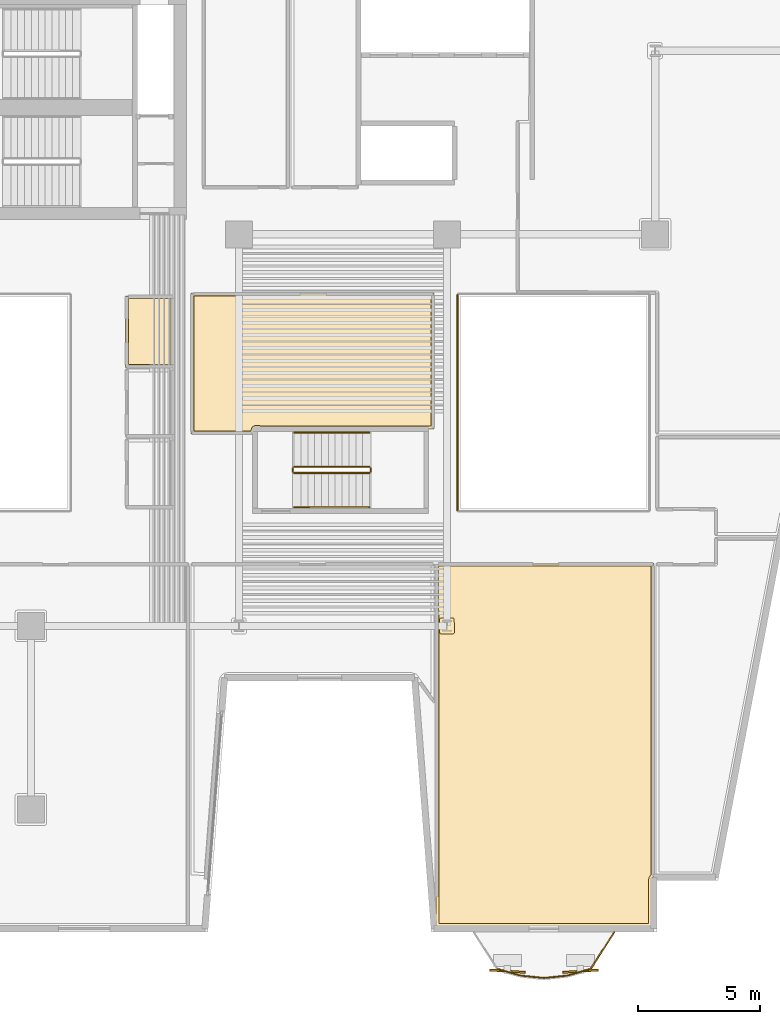
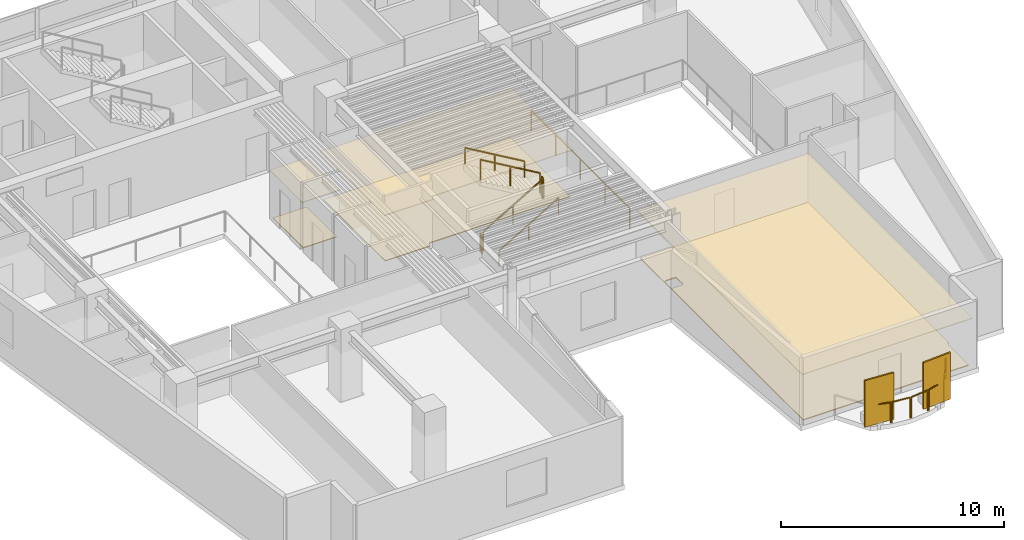
# One storey, part 10 of 13: 12 railings, 6 coverings, 2 shading devices.
"""IFC4 building model written with IfcOpenShell, lengths in metres."""

from ifc_helpers import new_model, si_unit, direction, frame, origin, origin_2d, place, context, subcontext, project, spatial, polyline, rectangle, outline, extrude, material, layer, layer_set, type_object, element, save


model = new_model("IFC4")

# Units and contexts
model_context = context("Model", 3, precision=1e-05, world=origin(), true_north=direction((0.0, 1.0)))
body_context = subcontext(model_context, "Body", "Model", "MODEL_VIEW")
ifc_project = project(units=[si_unit("LENGTHUNIT", "METRE"), si_unit("AREAUNIT", "SQUARE_METRE"), si_unit("VOLUMEUNIT", "CUBIC_METRE"), si_unit("PLANEANGLEUNIT", "RADIAN"), si_unit("MASSUNIT", "GRAM", prefix="KILO")], contexts=[model_context])

# Site, building, storey
site_placement = place(None, origin())
site = spatial("IfcSite", under=ifc_project, at=site_placement, CompositionType="ELEMENT")
building_placement = place(site_placement, origin())
building = spatial("IfcBuilding", under=site, at=building_placement, Name="Caeloran Harvest Quay", CompositionType="ELEMENT")
storey_placement = place(building_placement, frame((0.0, 0.0, 127.199951171875)))
storey = spatial("IfcBuildingStorey", under=building, at=storey_placement, Name="L29", CompositionType="ELEMENT", Elevation=127.199951171875)

# Coverings
ifc_material_1 = material(Name="Perforated Mineral-Fibre Acoustic Ceiling Tile", Category="ceiling")
ifc_layer_1 = layer(ifc_material_1, 0.0400390625, Name="Perforated Mineral-Fibre Acoustic Ceiling Tile")
ifc_layer_set_1 = layer_set([ifc_layer_1], Name="Perforated Mineral-Fibre Acoustic Ceiling Tile")
covering_type_1 = type_object("IfcCoveringType", Name="COV-CEILING-ACOUSTIC", PredefinedType="CEILING", material=ifc_layer_set_1)
covering_1_placement = place(storey_placement, frame((0.0, 0.0, 2.60009765625)))
element("IfcCovering", 1, at=covering_1_placement, inside=storey, type_object=covering_type_1, Name="L29 Male Washroom WC Acoustic Ceiling", PredefinedType="CEILING", context=body_context, shape_type="SweptSolid", body=[
    extrude(outline(polyline([(22.840087890625, 25.56005859375), (20.8701171875, 25.56005859375), (20.8701171875, 28.489990234375), (22.840087890625, 28.489990234375), (22.840087890625, 25.56005859375)])), origin(), (0.0, 0.0, 1.0), 0.0400390625),
])
covering_2_placement = place(storey_placement, frame((0.0, 0.0, 2.60009765625)))
element("IfcCovering", 2, at=covering_2_placement, inside=storey, type_object=covering_type_1, Name="Controlled-Climate Simulation Lab Acoustic Ceiling", PredefinedType="CEILING", context=body_context, shape_type="SweptSolid", body=[
    extrude(outline(polyline([(42.39990234375, 4.739501953125), (42.359619140625, 4.663818359375), (42.35009765625, 4.59912109375), (42.35009765625, 2.719970703125), (33.55859375, 2.719970703125), (33.5400390625, 2.95703125), (33.5400390625, 17.56005859375), (42.4599609375, 17.56005859375), (42.4599609375, 4.7919921875), (42.39990234375, 4.739501953125)])), origin(), (0.0, 0.0, 1.0), 0.0400390625),
])
covering_3_placement = place(storey_placement, frame((0.0, 0.0, 2.60009765625)))
element("IfcCovering", 3, at=covering_3_placement, inside=storey, type_object=covering_type_1, Name="Server Rack Laboratory Acoustic Ceiling", PredefinedType="CEILING", context=body_context, shape_type="SweptSolid", body=[
    extrude(outline(polyline([(26.139892578125, 23.06005859375), (26.139892578125, 23.02099609375), (26.054443359375, 22.840087890625), (23.5400390625, 22.840087890625), (23.5400390625, 28.610107421875), (33.4599609375, 28.610107421875), (33.4599609375, 23.0400390625), (33.170166015625, 23.0400390625), (33.162841796875, 23.06005859375), (26.139892578125, 23.06005859375)])), origin(), (0.0, 0.0, 1.0), 0.0400390625),
])
ifc_material_2 = material(Name="Calcium-Sulphate Raised Access Floor and Terrazzo Finish", Category="flooring")
ifc_layer_2 = layer(ifc_material_2, 0.050048828125, Name="Calcium-Sulphate Raised Access Floor and Terrazzo Finish")
ifc_layer_set_2 = layer_set([ifc_layer_2], Name="Calcium-Sulphate Raised Access Floor and Terrazzo Finish")
covering_type_2 = type_object("IfcCoveringType", Name="COV-FLOOR-RAISED", PredefinedType="FLOORING", material=ifc_layer_set_2)
covering_4_placement = place(storey_placement, origin())
element("IfcCovering", 4, at=covering_4_placement, inside=storey, type_object=covering_type_2, Name="L29 Male Washroom WC Raised Finish Flooring", PredefinedType="FLOORING", context=body_context, shape_type="SweptSolid", body=[
    extrude(outline(polyline([(22.719970703125, 25.679931640625), (20.989990234375, 25.679931640625), (20.989990234375, 28.3701171875), (22.719970703125, 28.3701171875), (22.719970703125, 25.679931640625)])), origin(), (0.0, 0.0, 1.0), 0.050048828125),
])
covering_5_placement = place(storey_placement, origin())
element("IfcCovering", 5, at=covering_5_placement, inside=storey, type_object=covering_type_2, Name="Controlled-Climate Simulation Lab Raised Finish Flooring", PredefinedType="FLOORING", context=body_context, shape_type="SweptSolid", body=[
    extrude(outline(polyline([(42.33251953125, 4.843017578125), (42.257568359375, 4.733642578125), (42.231201171875, 4.62939453125), (42.22998046875, 2.840087890625), (33.66943359375, 2.840087890625), (33.659912109375, 17.43994140625), (42.340087890625, 17.43994140625), (42.33251953125, 4.843017578125)]), holes=[polyline([(34.306884765625, 14.748046875), (34.288818359375, 15.302734375), (34.23486328125, 15.33154296875), (33.77294921875, 15.33203125), (33.71630859375, 15.30859375), (33.693115234375, 15.251953125), (33.693115234375, 14.748046875), (33.71630859375, 14.69140625), (33.77294921875, 14.66796875), (34.22705078125, 14.66796875), (34.28369140625, 14.69140625), (34.306884765625, 14.748046875)])]), origin(), (0.0, 0.0, 1.0), 0.050048828125),
])
covering_6_placement = place(storey_placement, origin())
element("IfcCovering", 6, at=covering_6_placement, inside=storey, type_object=covering_type_2, Name="Server Rack Laboratory Raised Finish Flooring", PredefinedType="FLOORING", context=body_context, shape_type="SweptSolid", body=[
    extrude(outline(polyline([(33.340087890625, 23.159912109375), (26.1298828125, 23.179931640625), (26.040771484375, 23.13427734375), (25.978515625, 22.9599609375), (23.659912109375, 22.9599609375), (23.659912109375, 28.489990234375), (33.340087890625, 28.489990234375), (33.340087890625, 23.159912109375)])), origin(), (0.0, 0.0, 1.0), 0.050048828125),
])

# Railings
ifc_material_3 = material(Name="Powder-Coated Steel Post and Laminated Glass Guardrail", Category="steel")
ifc_layer_3 = layer(ifc_material_3, 0.06005859375, Name="Powder-Coated Steel Post and Laminated Glass Guardrail")
ifc_layer_set_3 = layer_set([ifc_layer_3], Name="Powder-Coated Steel Post and Laminated Glass Guardrail")
railing_type_1 = type_object("IfcRailingType", Name="GUARD-ATRIUM-1150", PredefinedType="GUARDRAIL", material=ifc_layer_set_3)
railing_1_placement = place(storey_placement, frame((34.429931640625, 28.5380859375, 0.0)))
element("IfcRailing", 7, at=railing_1_placement, inside=storey, type_object=railing_type_1, Name="L29 East Botanical Lightwell Guardrail Seg 4", PredefinedType="GUARDRAIL", context=body_context, shape_type="SweptSolid", body=[
    extrude(rectangle(XDim=0.048095703125, YDim=0.048095703125, at=origin_2d()), frame((0.0, 0.0, 1.1259765625), z_axis=(0.0, -1.0, 0.0), x_axis=(1.0, 0.0, 0.0)), (0.0, 0.0, 1.0), 8.826171875),
    extrude(rectangle(XDim=0.0419921875, YDim=0.0419921875, at=origin_2d()), origin(), (0.0, 0.0, 1.0), 1.101806640625),
    extrude(rectangle(XDim=0.0419921875, YDim=0.0419921875, at=origin_2d()), frame((0.0, -2.20654296875, 0.0)), (0.0, 0.0, 1.0), 1.101806640625),
    extrude(rectangle(XDim=0.0419921875, YDim=0.0419921875, at=origin_2d()), frame((0.0, -4.4130859375, 0.0)), (0.0, 0.0, 1.0), 1.101806640625),
    extrude(rectangle(XDim=0.0419921875, YDim=0.0419921875, at=origin_2d()), frame((0.0, -6.61962890625, 0.0)), (0.0, 0.0, 1.0), 1.101806640625),
    extrude(rectangle(XDim=0.0419921875, YDim=0.0419921875, at=origin_2d()), frame((0.0, -8.826171875, 0.0)), (0.0, 0.0, 1.0), 1.101806640625),
])
ifc_material_4 = material(Name="Laminated Safety Glass and Stainless Steel 316", Category="steel")
ifc_layer_4 = layer(ifc_material_4, 0.06005859375, Name="Laminated Safety Glass and Stainless Steel 316")
ifc_layer_set_4 = layer_set([ifc_layer_4], Name="Laminated Safety Glass and Stainless Steel 316")
railing_type_2 = type_object("IfcRailingType", Name="GUARD-BALUSTRADE-1150", PredefinedType="BALUSTRADE", material=ifc_layer_set_4)
railing_2_placement = place(storey_placement, frame((40.825927734375, 2.47998046875, 0.0)))
element("IfcRailing", 8, at=railing_2_placement, inside=storey, type_object=railing_type_2, Name="L29 Planted Balcony Perimeter Balustrade Guard Seg 1", PredefinedType="BALUSTRADE", context=body_context, shape_type="SweptSolid", body=[
    extrude(rectangle(XDim=0.048095703125, YDim=0.048095703125, at=origin_2d()), frame((0.0, 0.0, 1.1259765625), z_axis=(-0.539296460879, -0.842115982085, 0.0), x_axis=(0.842115982085, -0.539296460879, 0.0)), (0.0, 0.0, 1.0), 1.74072265625),
    extrude(rectangle(XDim=0.0419921875, YDim=0.0419921875, at=origin_2d()), origin(), (0.0, 0.0, 1.0), 1.101806640625),
    extrude(rectangle(XDim=0.0419921875, YDim=0.0419921875, at=origin_2d()), frame((-0.938720703125, -1.4658203125, 0.0)), (0.0, 0.0, 1.0), 1.101806640625),
])
railing_3_placement = place(storey_placement, frame((39.839111328125, 0.978515625, 0.0)))
element("IfcRailing", 9, at=railing_3_placement, inside=storey, type_object=railing_type_2, Name="L29 Planted Balcony Perimeter Balustrade Guard Seg 2", PredefinedType="BALUSTRADE", context=body_context, shape_type="SweptSolid", body=[
    extrude(rectangle(XDim=0.048095703125, YDim=0.048095703125, at=origin_2d()), frame((0.0, 0.0, 1.1259765625), z_axis=(-0.961514044301, -0.274755787222, 0.0), x_axis=(0.274755787222, -0.961514044301, 0.0)), (0.0, 0.0, 1.0), 0.930419921875),
    extrude(rectangle(XDim=0.0419921875, YDim=0.0419921875, at=origin_2d()), origin(), (0.0, 0.0, 1.0), 1.101806640625),
    extrude(rectangle(XDim=0.0419921875, YDim=0.0419921875, at=origin_2d()), frame((-0.89453125, -0.255615234375, 0.0)), (0.0, 0.0, 1.0), 1.101806640625),
])
railing_4_placement = place(storey_placement, frame((38.8818359375, 0.7109375, 0.0)))
element("IfcRailing", 10, at=railing_4_placement, inside=storey, type_object=railing_type_2, Name="L29 Planted Balcony Perimeter Balustrade Guard Seg 3", PredefinedType="BALUSTRADE", context=body_context, shape_type="SweptSolid", body=[
    extrude(rectangle(XDim=0.048095703125, YDim=0.048095703125, at=origin_2d()), frame((0.0, 0.0, 1.1259765625), z_axis=(-0.994585653551, -0.103920054611, 0.0), x_axis=(0.103920054611, -0.994585653551, 0.0)), (0.0, 0.0, 1.0), 0.8974609375),
    extrude(rectangle(XDim=0.0419921875, YDim=0.0419921875, at=origin_2d()), origin(), (0.0, 0.0, 1.0), 1.101806640625),
    extrude(rectangle(XDim=0.0419921875, YDim=0.0419921875, at=origin_2d()), frame((-0.892578125, -0.09326171875, 0.0)), (0.0, 0.0, 1.0), 1.101806640625),
])
railing_5_placement = place(storey_placement, frame((37.92578125, 0.61767578125, 0.0)))
element("IfcRailing", 11, at=railing_5_placement, inside=storey, type_object=railing_type_2, Name="L29 Planted Balcony Perimeter Balustrade Guard Seg 4", PredefinedType="BALUSTRADE", context=body_context, shape_type="SweptSolid", body=[
    extrude(rectangle(XDim=0.048095703125, YDim=0.048095703125, at=origin_2d()), frame((0.0, 0.0, 1.1259765625), z_axis=(-0.994585653551, 0.103920054611, 0.0), x_axis=(-0.103920054611, -0.994585653551, 0.0)), (0.0, 0.0, 1.0), 0.8974609375),
    extrude(rectangle(XDim=0.0419921875, YDim=0.0419921875, at=origin_2d()), origin(), (0.0, 0.0, 1.0), 1.101806640625),
    extrude(rectangle(XDim=0.0419921875, YDim=0.0419921875, at=origin_2d()), frame((-0.892578125, 0.09326171875, 0.0)), (0.0, 0.0, 1.0), 1.101806640625),
])
railing_6_placement = place(storey_placement, frame((36.970458984375, 0.722900390625, 0.0)))
element("IfcRailing", 12, at=railing_6_placement, inside=storey, type_object=railing_type_2, Name="L29 Planted Balcony Perimeter Balustrade Guard Seg 5", PredefinedType="BALUSTRADE", context=body_context, shape_type="SweptSolid", body=[
    extrude(rectangle(XDim=0.048095703125, YDim=0.048095703125, at=origin_2d()), frame((0.0, 0.0, 1.1259765625), z_axis=(-0.961514044301, 0.274755787222, 0.0), x_axis=(-0.274755787222, -0.961514044301, 0.0)), (0.0, 0.0, 1.0), 0.930419921875),
    extrude(rectangle(XDim=0.0419921875, YDim=0.0419921875, at=origin_2d()), origin(), (0.0, 0.0, 1.0), 1.101806640625),
    extrude(rectangle(XDim=0.0419921875, YDim=0.0419921875, at=origin_2d()), frame((-0.89453125, 0.255615234375, 0.0)), (0.0, 0.0, 1.0), 1.101806640625),
])

# Shading devices
ifc_material_5 = material(Name="3003-H14 Perforated Powder-Coated Aluminium", Category="aluminium")
shading_device_type = type_object("IfcShadingDeviceType", Name="SHADE-SCREEN-FOLDED", PredefinedType="USERDEFINED", material=ifc_material_5)
for number, where, z_axis, x_axis, name in (
    (13, (39.44921875, 0.8935546875, 0.0751953125), (0.0, 0.0, 1.0), (0.997801468292, 0.0662739004, 0.0), "L29 Folded Facade Breathing Screen 1"),
    (14, (36.4658203125, 0.8935546875, 0.0751953125), (0.0, 0.0, 1.0), (0.997801468292, -0.0662739004, 0.0), "L29 Folded Facade Breathing Screen 2"),
):
    element("IfcShadingDevice", number, at=place(storey_placement, frame(where, z_axis=z_axis, x_axis=x_axis)), inside=storey, type_object=shading_device_type, Name=name, ObjectType="SCREEN", PredefinedType="USERDEFINED", context=body_context, shape_type="SweptSolid", body=[
        extrude(rectangle(XDim=1.449951171875, YDim=0.080078125, at=origin_2d()), origin(), (0.0, 0.0, 1.0), 2.550048828125),
    ])

# Railings
ifc_material_6 = material(Name="Painted Steel Baluster and Top-Rail Stair Guard", Category="steel")
ifc_layer_5 = layer(ifc_material_6, 0.050048828125, Name="Painted Steel Baluster and Top-Rail Stair Guard")
ifc_layer_set_5 = layer_set([ifc_layer_5], Name="Painted Steel Baluster and Top-Rail Stair Guard")
railing_type_3 = type_object("IfcRailingType", Name="STAIR-GUARD-1100", PredefinedType="GUARDRAIL", material=ifc_layer_set_5)
railing_7_placement = place(storey_placement, frame((27.75, 21.25, 0.16455078125)))
element("IfcRailing", 15, at=railing_7_placement, inside=storey, type_object=railing_type_3, Name="L29 ST-W1 stair guard 1", PredefinedType="GUARDRAIL", context=body_context, shape_type="SweptSolid", body=[
    extrude(rectangle(XDim=0.048095703125, YDim=0.048095703125, at=origin_2d()), frame((0.0, 0.0, 1.076171875), z_axis=(0.862088758681, 0.0, 0.506757310905), x_axis=(0.0, 1.0, 0.0)), (0.0, 0.0, 1.0), 3.57275390625),
    extrude(rectangle(XDim=0.0419921875, YDim=0.0419921875, at=origin_2d()), origin(), (0.0, 0.0, 1.0), 1.052001953125),
    extrude(rectangle(XDim=0.0419921875, YDim=0.0419921875, at=origin_2d()), frame((1.5400390625, 0.0, 0.9052734375)), (0.0, 0.0, 1.0), 1.052001953125),
    extrude(rectangle(XDim=0.0419921875, YDim=0.0419921875, at=origin_2d()), frame((3.080078125, 0.0, 1.810546875)), (0.0, 0.0, 1.0), 1.052001953125),
])
railing_8_placement = place(storey_placement, frame((30.8798828125, 21.300048828125, 1.97509765625)))
element("IfcRailing", 16, at=railing_8_placement, inside=storey, type_object=railing_type_3, Name="L29 ST-W1 stair guard 2", PredefinedType="GUARDRAIL", context=body_context, shape_type="SweptSolid", body=[
    extrude(rectangle(XDim=0.048095703125, YDim=0.048095703125, at=origin_2d()), frame((0.0, 0.0, 1.076171875), z_axis=(0.0, 1.0, 0.0), x_axis=(-1.0, 0.0, 0.0)), (0.0, 0.0, 1.0), 0.14990234375),
    extrude(rectangle(XDim=0.0419921875, YDim=0.0419921875, at=origin_2d()), origin(), (0.0, 0.0, 1.0), 1.052001953125),
    extrude(rectangle(XDim=0.0419921875, YDim=0.0419921875, at=origin_2d()), frame((0.0, 0.14990234375, 0.0)), (0.0, 0.0, 1.0), 1.052001953125),
])
railing_9_placement = place(storey_placement, frame((30.830078125, 21.5, 2.1396484375)))
element("IfcRailing", 17, at=railing_9_placement, inside=storey, type_object=railing_type_3, Name="L29 ST-W1 stair guard 3", PredefinedType="GUARDRAIL", context=body_context, shape_type="SweptSolid", body=[
    extrude(rectangle(XDim=0.048095703125, YDim=0.048095703125, at=origin_2d()), frame((0.0, 0.0, 1.076171875), z_axis=(-0.862118610829, 0.0, 0.506706523406), x_axis=(0.0, -1.0, 0.0)), (0.0, 0.0, 1.0), 3.57275390625),
    extrude(rectangle(XDim=0.0419921875, YDim=0.0419921875, at=origin_2d()), origin(), (0.0, 0.0, 1.0), 1.052001953125),
    extrude(rectangle(XDim=0.0419921875, YDim=0.0419921875, at=origin_2d()), frame((-1.5400390625, 0.0, 0.9052734375)), (0.0, 0.0, 1.0), 1.052001953125),
    extrude(rectangle(XDim=0.0419921875, YDim=0.0419921875, at=origin_2d()), frame((-3.080078125, 0.0, 1.810302734375)), (0.0, 0.0, 1.0), 1.052001953125),
])
railing_10_placement = place(storey_placement, frame((27.699951171875, 21.300048828125, 0.0)))
element("IfcRailing", 18, at=railing_10_placement, inside=storey, type_object=railing_type_3, Name="L29 ST-W1 stair guard 4", PredefinedType="GUARDRAIL", context=body_context, shape_type="SweptSolid", body=[
    extrude(rectangle(XDim=0.048095703125, YDim=0.048095703125, at=origin_2d()), frame((0.0, 0.0, 1.076171875), z_axis=(0.0, 1.0, 0.0), x_axis=(-1.0, 0.0, 0.0)), (0.0, 0.0, 1.0), 0.14990234375),
    extrude(rectangle(XDim=0.0419921875, YDim=0.0419921875, at=origin_2d()), origin(), (0.0, 0.0, 1.0), 1.052001953125),
    extrude(rectangle(XDim=0.0419921875, YDim=0.0419921875, at=origin_2d()), frame((0.0, 0.14990234375, 0.0)), (0.0, 0.0, 1.0), 1.052001953125),
])
ifc_material_7 = material(Name="Brushed Stainless Steel Grade 304", Category="steel")
ifc_layer_6 = layer(ifc_material_7, 0.050048828125, Name="Brushed Stainless Steel Grade 304")
ifc_layer_set_6 = layer_set([ifc_layer_6], Name="Brushed Stainless Steel Grade 304")
railing_type_4 = type_object("IfcRailingType", Name="STAIR-HANDRAIL-900", PredefinedType="HANDRAIL", material=ifc_layer_set_6)
railing_11_placement = place(storey_placement, frame((27.75, 19.85009765625, 0.16455078125)))
element("IfcRailing", 19, at=railing_11_placement, inside=storey, type_object=railing_type_4, Name="L29 ST-W1 stair handrail 1", PredefinedType="HANDRAIL", context=body_context, shape_type="SweptSolid", body=[
    extrude(rectangle(XDim=0.048095703125, YDim=0.048095703125, at=origin_2d()), frame((0.0, 0.0, 0.8759765625), z_axis=(0.862088758681, 0.0, 0.506757310905), x_axis=(0.0, 1.0, 0.0)), (0.0, 0.0, 1.0), 3.57275390625),
    extrude(rectangle(XDim=0.0419921875, YDim=0.0419921875, at=origin_2d()), origin(), (0.0, 0.0, 1.0), 0.851806640625),
    extrude(rectangle(XDim=0.0419921875, YDim=0.0419921875, at=origin_2d()), frame((1.5400390625, 0.0, 0.9052734375)), (0.0, 0.0, 1.0), 0.851806640625),
    extrude(rectangle(XDim=0.0419921875, YDim=0.0419921875, at=origin_2d()), frame((3.080078125, 0.0, 1.810546875)), (0.0, 0.0, 1.0), 0.851806640625),
])
railing_12_placement = place(storey_placement, frame((30.830078125, 22.89990234375, 2.1396484375)))
element("IfcRailing", 20, at=railing_12_placement, inside=storey, type_object=railing_type_4, Name="L29 ST-W1 stair handrail 2", PredefinedType="HANDRAIL", context=body_context, shape_type="SweptSolid", body=[
    extrude(rectangle(XDim=0.048095703125, YDim=0.048095703125, at=origin_2d()), frame((0.0, 0.0, 0.8759765625), z_axis=(-0.862118610829, 0.0, 0.506706523406), x_axis=(0.0, -1.0, 0.0)), (0.0, 0.0, 1.0), 3.57275390625),
    extrude(rectangle(XDim=0.0419921875, YDim=0.0419921875, at=origin_2d()), origin(), (0.0, 0.0, 1.0), 0.851806640625),
    extrude(rectangle(XDim=0.0419921875, YDim=0.0419921875, at=origin_2d()), frame((-1.5400390625, 0.0, 0.9052734375)), (0.0, 0.0, 1.0), 0.851806640625),
    extrude(rectangle(XDim=0.0419921875, YDim=0.0419921875, at=origin_2d()), frame((-3.080078125, 0.0, 1.810302734375)), (0.0, 0.0, 1.0), 0.851806640625),
])

save(model, "model.ifc")
